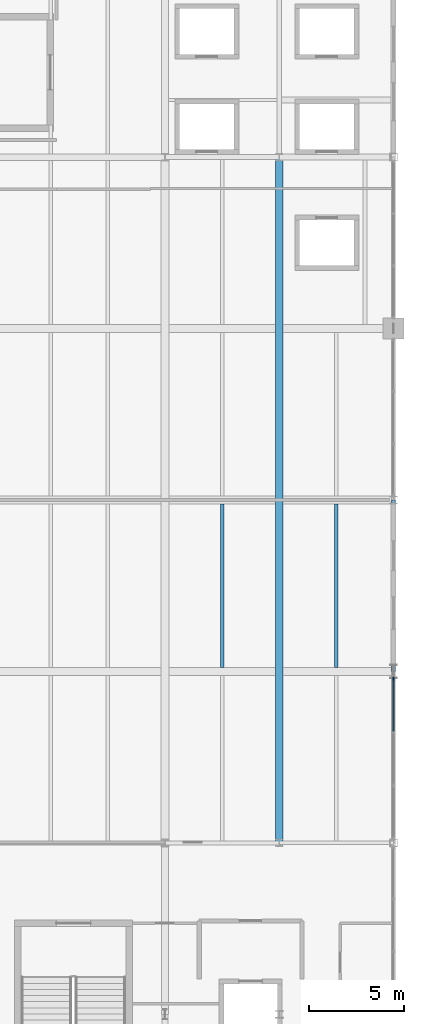
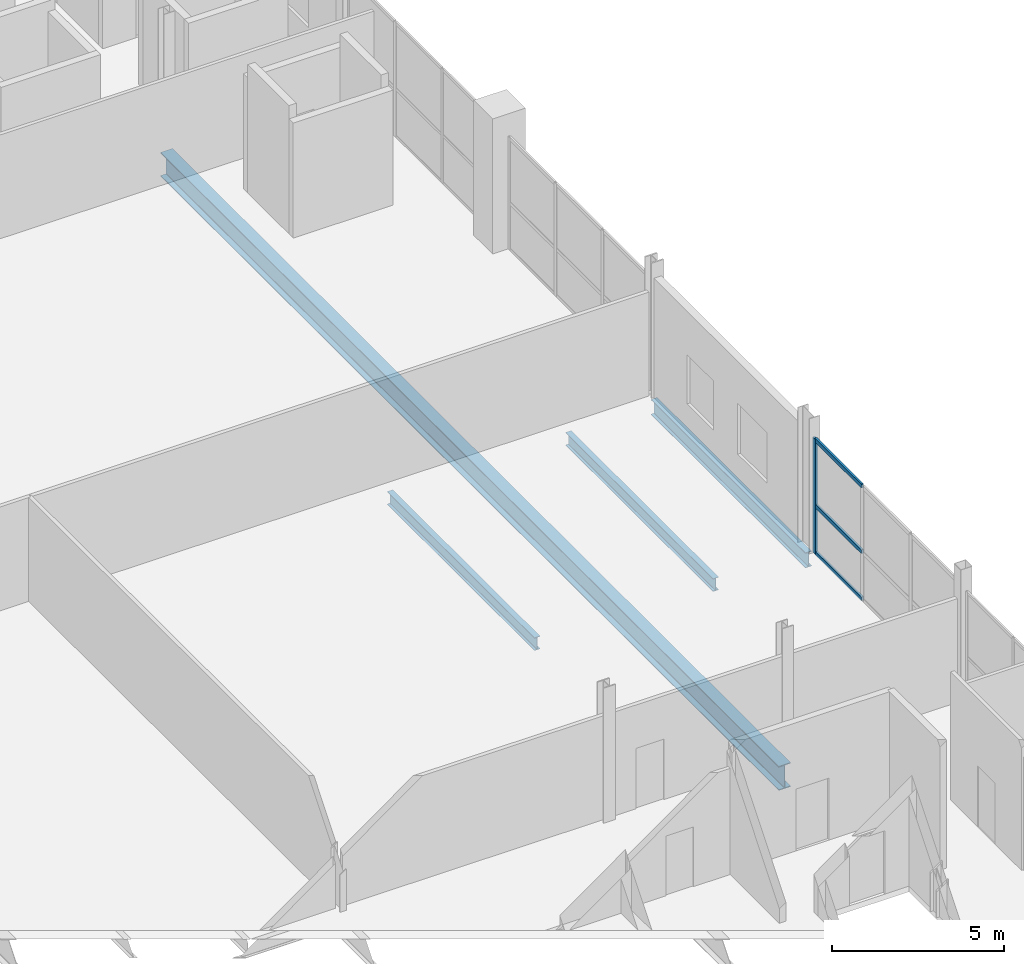
# One storey, part 16 of 50: 4 beams, 4 members, 1 element without a shape of its own.
"""IFC4 building model written with IfcOpenShell, lengths in metres."""

from ifc_helpers import new_model, si_unit, direction, frame, origin, origin_2d, place, context, subcontext, project, spatial, rectangle, i_section, extrude, material, layer, layer_set, material_profile, profile_set, type_object, element, aggregate, save


model = new_model("IFC4")

# Units and contexts
model_context = context("Model", 3, precision=1e-05, world=origin(), true_north=direction((0.0, 1.0)))
body_context = subcontext(model_context, "Body", "Model", "MODEL_VIEW")
ifc_project = project(units=[si_unit("LENGTHUNIT", "METRE"), si_unit("AREAUNIT", "SQUARE_METRE"), si_unit("VOLUMEUNIT", "CUBIC_METRE"), si_unit("PLANEANGLEUNIT", "RADIAN"), si_unit("MASSUNIT", "GRAM", prefix="KILO")], contexts=[model_context])

# Site, building, storey
site_placement = place(None, origin())
site = spatial("IfcSite", under=ifc_project, at=site_placement, CompositionType="ELEMENT")
building_placement = place(site_placement, origin())
building = spatial("IfcBuilding", under=site, at=building_placement, Name="Qamarlyn Nura Convention Centre", CompositionType="ELEMENT")
storey_placement = place(building_placement, frame((0.0, 0.0, 20.39990234375)))
storey = spatial("IfcBuildingStorey", under=building, at=storey_placement, Name="L04", CompositionType="ELEMENT", Elevation=20.39990234375)

# Beams
ifc_material_1 = material(Name="Steel ASTM A992", Category="steel")
ifc_material_profile_1 = material_profile(ifc_material_1, i_section(OverallWidth=0.39990234375, OverallDepth=0.85498046875, WebThickness=0.018310546875, FlangeThickness=0.029296875, FilletRadius=0.02197265625, at=origin_2d()), Name="W840X299")
ifc_profile_set_1 = profile_set([ifc_material_profile_1], Name="Steel ASTM A992")
beam_type_1 = type_object("IfcBeamType", Name="BM-GIRD-840", PredefinedType="BEAM", material=ifc_profile_set_1)
beam_1_placement = place(storey_placement, frame((186.0, 18.0, -0.62744140625), z_axis=(0.0, 1.0, 0.0), x_axis=(-1.0, 0.0, 0.0)))
element("IfcBeam", 1, at=beam_1_placement, inside=storey, type_object=beam_type_1, Name="L04 girder 17 C-G", PredefinedType="BEAM", context=body_context, shape_type="SweptSolid", body=[
    extrude(i_section(OverallWidth=0.39990234375, OverallDepth=0.85498046875, WebThickness=0.018310546875, FlangeThickness=0.029296875, FilletRadius=0.02197265625, at=origin_2d()), origin(), (0.0, 0.0, 1.0), 36.0),
])
ifc_material_profile_2 = material_profile(ifc_material_1, i_section(OverallWidth=0.18994140625, OverallDepth=0.45703125, WebThickness=0.009033203125, FlangeThickness=0.014404296875, FilletRadius=0.012939453125, at=origin_2d()), Name="W460X74")
ifc_profile_set_2 = profile_set([ifc_material_profile_2], Name="Steel ASTM A992")
beam_type_2 = type_object("IfcBeamType", Name="BM-JOIST-460", PredefinedType="JOIST", material=ifc_profile_set_2)
for number, where, z_axis, x_axis, name in (
    (2, (183.0, 27.208984375, -0.428466796875), (0.0, 1.0, 0.0), (-1.0, 0.0, 0.0), "L04 secondary joist 16-17/D-E-59"),
    (3, (189.0, 27.208984375, -0.428466796875), (0.0, 1.0, 0.0), (-1.0, 0.0, 0.0), "L04 secondary joist 17-18/D-E-66"),
):
    element("IfcBeam", number, at=place(storey_placement, frame(where, z_axis=z_axis, x_axis=x_axis)), inside=storey, type_object=beam_type_2, Name=name, PredefinedType="JOIST", context=body_context, shape_type="SweptSolid", body=[
        extrude(i_section(OverallWidth=0.18994140625, OverallDepth=0.45703125, WebThickness=0.009033203125, FlangeThickness=0.014404296875, FilletRadius=0.012939453125, at=origin_2d()), origin(), (0.0, 0.0, 1.0), 8.58203125),
    ])
ifc_material_profile_3 = material_profile(ifc_material_1, i_section(OverallWidth=0.2109375, OverallDepth=0.5390625, WebThickness=0.01171875, FlangeThickness=0.018798828125, FilletRadius=0.013916015625, at=origin_2d()), Name="W530X109")
ifc_profile_set_3 = profile_set([ifc_material_profile_3], Name="Steel ASTM A992")
beam_type_3 = type_object("IfcBeamType", Name="BM-SPAN-530", PredefinedType="SPANDREL", material=ifc_profile_set_3)
beam_2_placement = place(storey_placement, frame((192.0, 27.0, -0.469482421875), z_axis=(0.0, 1.0, 0.0), x_axis=(-1.0, 0.0, 0.0)))
element("IfcBeam", 4, at=beam_2_placement, inside=storey, type_object=beam_type_3, Name="L04 girder 18 D-E", PredefinedType="SPANDREL", context=body_context, shape_type="SweptSolid", body=[
    extrude(i_section(OverallWidth=0.2109375, OverallDepth=0.5390625, WebThickness=0.01171875, FlangeThickness=0.018798828125, FilletRadius=0.013916015625, at=origin_2d()), origin(), (0.0, 0.0, 1.0), 9.0),
])

# Curtain wall, members
ifc_material_2 = material(Name="Double-silver low-E insulated glass", Category="glass")
ifc_layer = layer(ifc_material_2, 0.179931640625, Name="CW-UNIT-135")
ifc_layer_set = layer_set([ifc_layer], Name="Double-silver low-E insulated glass")
curtain_wall_type = type_object("IfcCurtainWallType", Name="CW-UNIT-135", PredefinedType="NOTDEFINED", material=ifc_layer_set)
curtain_wall_placement = place(storey_placement, origin())
curtain_wall = element("IfcCurtainWall", 5, at=curtain_wall_placement, inside=storey, type_object=curtain_wall_type, Name="L04 unitised curtain wall EAST-3-1", PredefinedType="NOTDEFINED")
ifc_material_3 = material(Name="Champagne-anodised marine aluminium", Category="aluminium")
ifc_material_profile_4 = material_profile(ifc_material_3, rectangle(XDim=0.070068359375, YDim=0.179931640625, at=origin_2d()), Name="ALU MULLION 70x180")
ifc_profile_set_4 = profile_set([ifc_material_profile_4], Name="Champagne-anodised marine aluminium")
member_type_1 = type_object("IfcMemberType", Name="CWM-180", PredefinedType="MULLION", material=ifc_profile_set_4)
member_1_placement = place(storey_placement, frame((192.0, 26.617431640625, 0.0), z_axis=(0.0, 0.0, 1.0), x_axis=(1.0, 0.0, 0.0)))
member_1 = element("IfcMember", 6, at=member_1_placement, type_object=member_type_1, Name="CW135 mullion 1", PredefinedType="MULLION", context=body_context, shape_type="SweptSolid", body=[
    extrude(rectangle(XDim=0.070068359375, YDim=0.179931640625, at=origin_2d()), origin(), (0.0, 0.0, 1.0), 4.0791015625),
])
ifc_material_profile_5 = material_profile(ifc_material_3, rectangle(XDim=0.070068359375, YDim=0.139892578125, at=origin_2d()), Name="ALU TRANSOM 70x140")
ifc_profile_set_5 = profile_set([ifc_material_profile_5], Name="Champagne-anodised marine aluminium")
member_type_2 = type_object("IfcMemberType", Name="CWT-140", PredefinedType="USERDEFINED", material=ifc_profile_set_5)
member_2_placement = place(storey_placement, frame((192.0, 26.58251953125, 0.03515625), z_axis=(0.0, -1.0, 0.0), x_axis=(1.0, 0.0, 0.0)))
member_2 = element("IfcMember", 7, at=member_2_placement, type_object=member_type_2, Name="CW135 transom 1.1", ObjectType="TRANSOM", PredefinedType="USERDEFINED", context=body_context, shape_type="SweptSolid", body=[
    extrude(rectangle(XDim=0.070068359375, YDim=0.139892578125, at=origin_2d()), origin(), (0.0, 0.0, 1.0), 2.71240234375),
])
member_3_placement = place(storey_placement, frame((192.0, 26.58251953125, 1.713134765625), z_axis=(0.0, -1.0, 0.0), x_axis=(1.0, 0.0, 0.0)))
member_3 = element("IfcMember", 8, at=member_3_placement, type_object=member_type_2, Name="CW135 transom 1.2", ObjectType="TRANSOM", PredefinedType="USERDEFINED", context=body_context, shape_type="SweptSolid", body=[
    extrude(rectangle(XDim=0.070068359375, YDim=0.139892578125, at=origin_2d()), origin(), (0.0, 0.0, 1.0), 2.71240234375),
])
member_4_placement = place(storey_placement, frame((192.0, 26.58251953125, 4.044189453125), z_axis=(0.0, -1.0, 0.0), x_axis=(1.0, 0.0, 0.0)))
member_4 = element("IfcMember", 9, at=member_4_placement, type_object=member_type_2, Name="CW135 transom 1.3", ObjectType="TRANSOM", PredefinedType="USERDEFINED", context=body_context, shape_type="SweptSolid", body=[
    extrude(rectangle(XDim=0.070068359375, YDim=0.139892578125, at=origin_2d()), origin(), (0.0, 0.0, 1.0), 2.71240234375),
])
aggregate(curtain_wall, [member_1, member_2, member_3, member_4])

save(model, "model.ifc")
